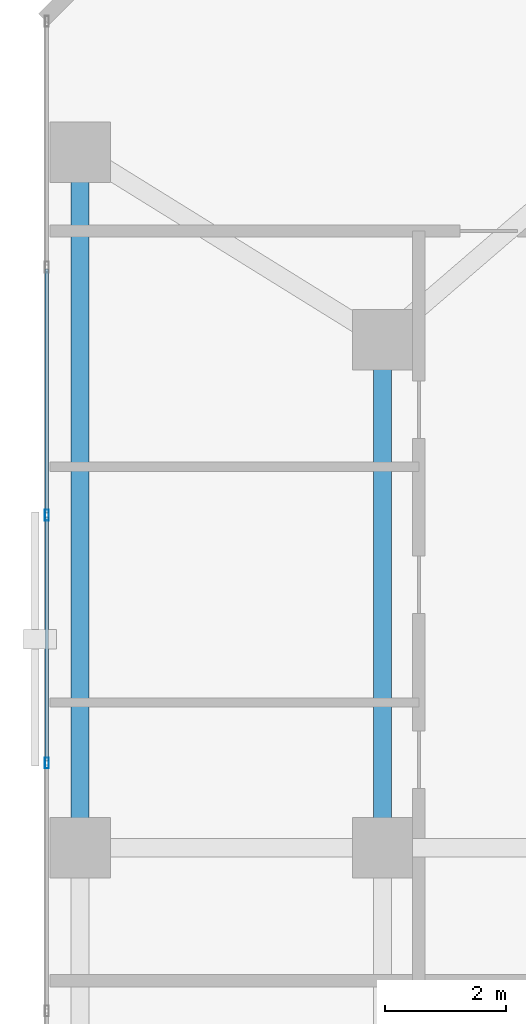
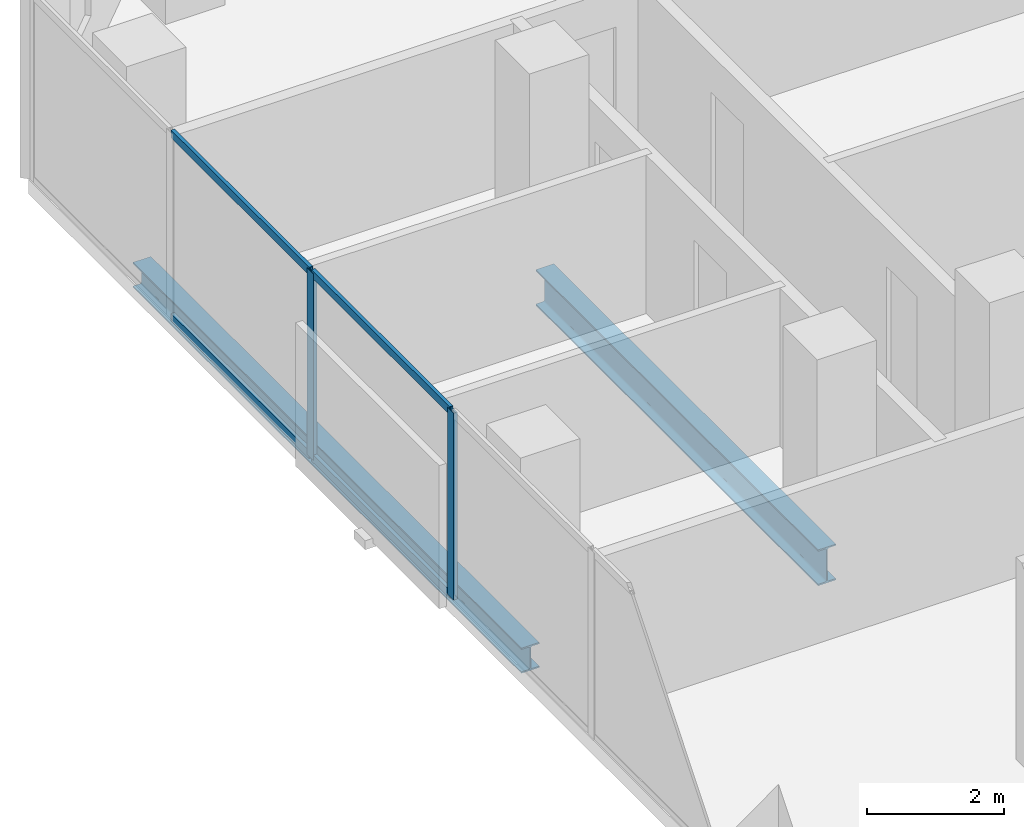
# One storey, part 16 of 31: 6 members, 2 beams, 1 element without a shape of its own.
"""IFC4 building model written with IfcOpenShell, lengths in metres."""

from ifc_helpers import new_model, si_unit, direction, frame, origin, origin_2d, place, context, subcontext, project, spatial, hollow_rectangle, i_section, extrude, material, layer, layer_set, material_profile, profile_set, type_object, element, aggregate, save


model = new_model("IFC4")

# Units and contexts
model_context = context("Model", 3, precision=1e-05, world=origin(), true_north=direction((0.0, 1.0)))
body_context = subcontext(model_context, "Body", "Model", "MODEL_VIEW")
ifc_project = project(units=[si_unit("LENGTHUNIT", "METRE"), si_unit("AREAUNIT", "SQUARE_METRE"), si_unit("VOLUMEUNIT", "CUBIC_METRE"), si_unit("PLANEANGLEUNIT", "RADIAN"), si_unit("MASSUNIT", "GRAM", prefix="KILO")], contexts=[model_context])

# Site, building, storey
site_placement = place(None, origin())
site = spatial("IfcSite", under=ifc_project, at=site_placement, CompositionType="ELEMENT")
building_placement = place(site_placement, origin())
building = spatial("IfcBuilding", under=site, at=building_placement, Name="Catumbela Crestline Tower", CompositionType="ELEMENT")
storey_placement = place(building_placement, frame((0.0, 0.0, 36.6)))
storey = spatial("IfcBuildingStorey", under=building, at=storey_placement, Name="L08", CompositionType="ELEMENT", Elevation=36.6)

# Beam
ifc_material_1 = material(Name="Structural steel S355J2", Category="steel")
ifc_material_profile_1 = material_profile(ifc_material_1, i_section(OverallWidth=0.3, OverallDepth=0.64, WebThickness=0.0135, FlangeThickness=0.026, FilletRadius=0.027, at=origin_2d()), Name="HEA 650")
ifc_profile_set_1 = profile_set([ifc_material_profile_1], Name="Structural steel S355J2")
beam_type_1 = type_object("IfcBeamType", Name="BG-HEA650", PredefinedType="BEAM", material=ifc_profile_set_1)
beam_1_placement = place(storey_placement, frame((5.6, 30.88, -0.58), z_axis=(0.0, 1.0, 0.0), x_axis=(-1.0, 0.0, 0.0)))
element("IfcBeam", 1, at=beam_1_placement, inside=storey, type_object=beam_type_1, Name="L08 Beam BM-L08-SN28", PredefinedType="BEAM", context=body_context, shape_type="SweptSolid", body=[
    extrude(i_section(OverallWidth=0.3, OverallDepth=0.64, WebThickness=0.0135, FlangeThickness=0.026, FilletRadius=0.027, at=origin_2d()), origin(), (0.0, 0.0, 1.0), 8.24),
])

# Curtain wall, members
ifc_material_2 = material(Name="Aluminium alloy AW-6060-T66", Category="aluminium")
ifc_layer = layer(ifc_material_2, 0.18, Name="Aluminium alloy AW-6060-T66")
ifc_layer_set = layer_set([ifc_layer], Name="Aluminium alloy AW-6060-T66")
curtain_wall_type = type_object("IfcCurtainWallType", Name="CWU-Z1", PredefinedType="USERDEFINED", material=ifc_layer_set)
curtain_wall_placement = place(storey_placement, origin())
curtain_wall = element("IfcCurtainWall", 2, at=curtain_wall_placement, inside=storey, type_object=curtain_wall_type, Name="L08 Unitised Curtain Wall CW-L08-E9S1", ObjectType="UNITISED", PredefinedType="USERDEFINED")
ifc_material_profile_2 = material_profile(ifc_material_2, hollow_rectangle(XDim=0.065, YDim=0.18, WallThickness=0.004, at=origin_2d()), Name="ALU 180x65x4")
ifc_profile_set_2 = profile_set([ifc_material_profile_2], Name="Aluminium alloy AW-6060-T66")
member_type_1 = type_object("IfcMemberType", Name="MUL-180X65", PredefinedType="MULLION", material=ifc_profile_set_2)
member_1_placement = place(storey_placement, frame((0.05, 36.3, 0.0), z_axis=(0.0, 0.0, 1.0), x_axis=(1.0, 0.0, 0.0)))
member_1 = element("IfcMember", 3, at=member_1_placement, type_object=member_type_1, Name="CWU-Z1 mullion 3", PredefinedType="MULLION", context=body_context, shape_type="SweptSolid", body=[
    extrude(hollow_rectangle(XDim=0.065, YDim=0.18, WallThickness=0.004, at=origin_2d()), origin(), (0.0, 0.0, 1.0), 3.33),
])
member_2_placement = place(storey_placement, frame((0.05, 32.2, 0.0), z_axis=(0.0, 0.0, 1.0), x_axis=(1.0, 0.0, 0.0)))
member_2 = element("IfcMember", 4, at=member_2_placement, type_object=member_type_1, Name="CWU-Z1 mullion 4", PredefinedType="MULLION", context=body_context, shape_type="SweptSolid", body=[
    extrude(hollow_rectangle(XDim=0.065, YDim=0.18, WallThickness=0.004, at=origin_2d()), origin(), (0.0, 0.0, 1.0), 3.33),
])

# Beam
ifc_material_profile_3 = material_profile(ifc_material_1, i_section(OverallWidth=0.3, OverallDepth=0.45, WebThickness=0.014, FlangeThickness=0.026, FilletRadius=0.027, at=origin_2d()), Name="HEB 450")
ifc_profile_set_3 = profile_set([ifc_material_profile_3], Name="Structural steel S355J2")
beam_type_2 = type_object("IfcBeamType", Name="BS-HEB450", PredefinedType="SPANDREL", material=ifc_profile_set_3)
beam_2_placement = place(storey_placement, frame((0.6, 30.88, -0.485), z_axis=(0.0, 1.0, 0.0), x_axis=(-1.0, 0.0, 0.0)))
element("IfcBeam", 5, at=beam_2_placement, inside=storey, type_object=beam_type_2, Name="L08 Spandrel SP-L08-SN26", PredefinedType="SPANDREL", context=body_context, shape_type="SweptSolid", body=[
    extrude(i_section(OverallWidth=0.3, OverallDepth=0.45, WebThickness=0.014, FlangeThickness=0.026, FilletRadius=0.027, at=origin_2d()), origin(), (0.0, 0.0, 1.0), 11.34),
])

# Member
ifc_material_profile_4 = material_profile(ifc_material_2, hollow_rectangle(XDim=0.06, YDim=0.14, WallThickness=0.004, at=origin_2d()), Name="ALU 140x60x4")
ifc_profile_set_4 = profile_set([ifc_material_profile_4], Name="Aluminium alloy AW-6060-T66")
member_type_2 = type_object("IfcMemberType", Name="TRN-140X60", PredefinedType="USERDEFINED", material=ifc_profile_set_4)
member_3_placement = place(storey_placement, frame((0.05, 40.3675, 0.03), z_axis=(0.0, -1.0, 0.0), x_axis=(1.0, 0.0, 0.0)))
member_3 = element("IfcMember", 6, at=member_3_placement, type_object=member_type_2, Name="CWU-Z1 transom 2.1", ObjectType="TRANSOM", PredefinedType="USERDEFINED", context=body_context, shape_type="SweptSolid", body=[
    extrude(hollow_rectangle(XDim=0.06, YDim=0.14, WallThickness=0.004, at=origin_2d()), origin(), (0.0, 0.0, 1.0), 4.035),
])

member_4_placement = place(storey_placement, frame((0.05, 40.3675, 3.3), z_axis=(0.0, -1.0, 0.0), x_axis=(1.0, 0.0, 0.0)))
member_4 = element("IfcMember", 7, at=member_4_placement, type_object=member_type_2, Name="CWU-Z1 transom 2.2", ObjectType="TRANSOM", PredefinedType="USERDEFINED", context=body_context, shape_type="SweptSolid", body=[
    extrude(hollow_rectangle(XDim=0.06, YDim=0.14, WallThickness=0.004, at=origin_2d()), origin(), (0.0, 0.0, 1.0), 4.035),
])

member_5_placement = place(storey_placement, frame((0.05, 36.2675, 0.03), z_axis=(0.0, -1.0, 0.0), x_axis=(1.0, 0.0, 0.0)))
member_5 = element("IfcMember", 8, at=member_5_placement, type_object=member_type_2, Name="CWU-Z1 transom 3.1", ObjectType="TRANSOM", PredefinedType="USERDEFINED", context=body_context, shape_type="SweptSolid", body=[
    extrude(hollow_rectangle(XDim=0.06, YDim=0.14, WallThickness=0.004, at=origin_2d()), origin(), (0.0, 0.0, 1.0), 4.035),
])

member_6_placement = place(storey_placement, frame((0.05, 36.2675, 3.3), z_axis=(0.0, -1.0, 0.0), x_axis=(1.0, 0.0, 0.0)))
member_6 = element("IfcMember", 9, at=member_6_placement, type_object=member_type_2, Name="CWU-Z1 transom 3.2", ObjectType="TRANSOM", PredefinedType="USERDEFINED", context=body_context, shape_type="SweptSolid", body=[
    extrude(hollow_rectangle(XDim=0.06, YDim=0.14, WallThickness=0.004, at=origin_2d()), origin(), (0.0, 0.0, 1.0), 4.035),
])

aggregate(curtain_wall, [member_1, member_2, member_3, member_4, member_5, member_6])

save(model, "model.ifc")
